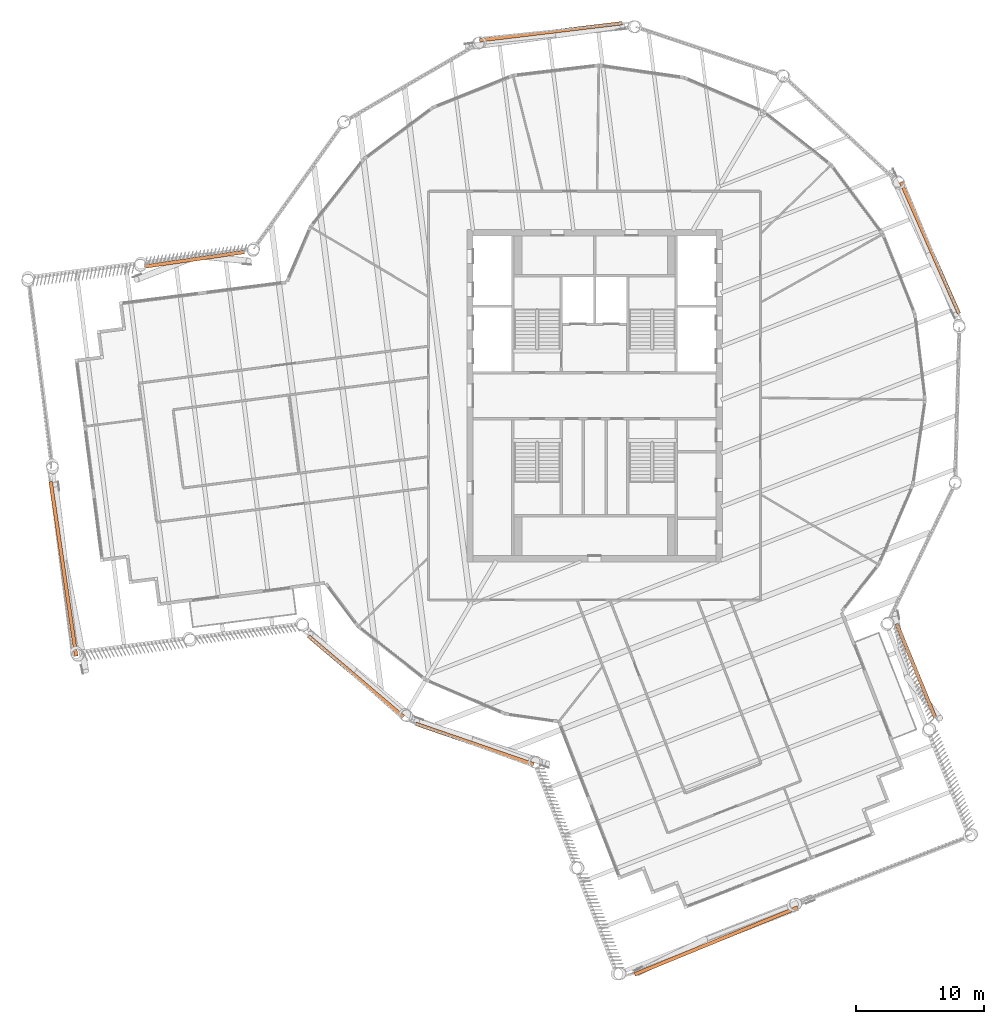
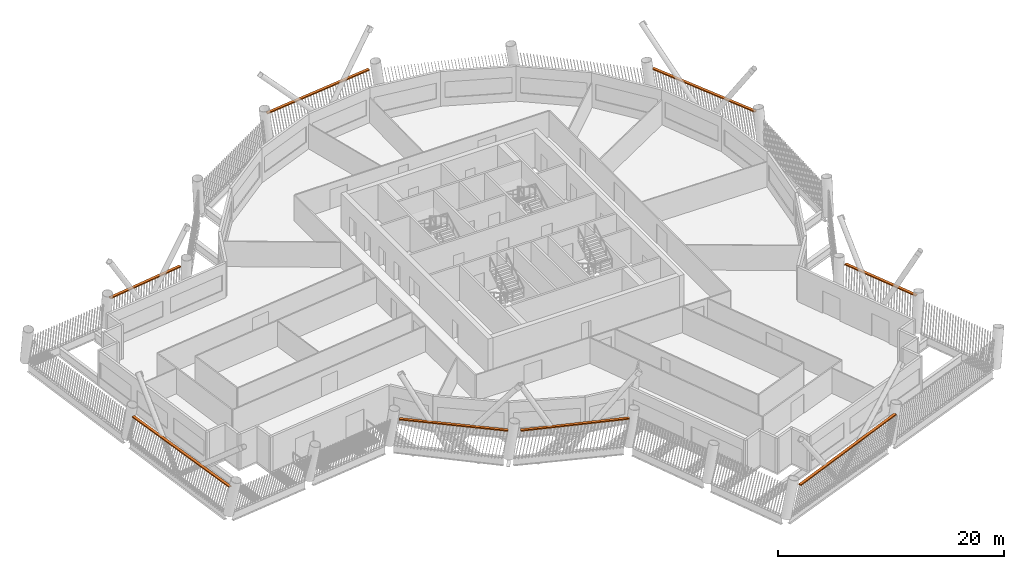
# One storey, part 20 of 20: 8 proxies.
"""IFC4 building model written with IfcOpenShell, lengths in metres."""

from ifc_helpers import new_model, si_unit, direction, frame, origin, origin_2d, place, context, subcontext, project, spatial, rectangle, extrude, material, type_object, element, save


model = new_model("IFC4")

# Units and contexts
model_context = context("Model", 3, precision=1e-05, world=origin(), true_north=direction((0.0, 1.0)))
body_context = subcontext(model_context, "Body", "Model", "MODEL_VIEW")
ifc_project = project(units=[si_unit("LENGTHUNIT", "METRE"), si_unit("AREAUNIT", "SQUARE_METRE"), si_unit("VOLUMEUNIT", "CUBIC_METRE"), si_unit("PLANEANGLEUNIT", "RADIAN"), si_unit("MASSUNIT", "GRAM", prefix="KILO")], contexts=[model_context])

# Site, building, storey
site_placement = place(None, origin())
site = spatial("IfcSite", under=ifc_project, at=site_placement, CompositionType="ELEMENT")
building_placement = place(site_placement, origin())
building = spatial("IfcBuilding", under=site, at=building_placement, Name="Tarsis Ring Headquarters", CompositionType="ELEMENT")
storey_placement = place(building_placement, frame((0.0, 0.0, 315.800048828125)))
storey = spatial("IfcBuildingStorey", under=building, at=storey_placement, Name="L74", CompositionType="ELEMENT", Elevation=315.800048828125)

# Proxies
ifc_material = material(Name="Structural steel S355", Category="steel")
building_element_proxy_type = type_object("IfcBuildingElementProxyType", Name="Screen bracket plate", PredefinedType="USERDEFINED", material=ifc_material)
proxy_1_placement = place(storey_placement, frame((-9.386962890625, -27.26953125, 2.9677734375), z_axis=(0.0, 0.0, 1.0), x_axis=(0.945546886607, -0.325485921706, 0.0)))
element("IfcBuildingElementProxy", 1, at=proxy_1_placement, inside=storey, type_object=building_element_proxy_type, Name="Screen bracket L74-00", ObjectType="Bracket", PredefinedType="USERDEFINED", context=body_context, shape_type="SweptSolid", body=[
    extrude(rectangle(XDim=9.771728515625, YDim=0.280029296875, at=origin_2d()), origin(), (0.0, 0.0, 1.0), 0.1201171875),
])
proxy_2_placement = place(storey_placement, frame((9.52099609375, -42.676513671875, 2.9677734375), z_axis=(0.0, 0.0, 1.0), x_axis=(0.925077200206, 0.379779111667, 0.0)))
element("IfcBuildingElementProxy", 2, at=proxy_2_placement, inside=storey, type_object=building_element_proxy_type, Name="Screen bracket L74-03", ObjectType="Bracket", PredefinedType="USERDEFINED", context=body_context, shape_type="SweptSolid", body=[
    extrude(rectangle(XDim=13.800048828125, YDim=0.280029296875, at=origin_2d()), origin(), (0.0, 0.0, 1.0), 0.1201171875),
])
proxy_3_placement = place(storey_placement, frame((25.147216796875, -21.507568359375, 2.9677734375), z_axis=(0.0, 0.0, 1.0), x_axis=(-0.379778982502, 0.925077253233, 0.0)))
element("IfcBuildingElementProxy", 3, at=proxy_3_placement, inside=storey, type_object=building_element_proxy_type, Name="Screen bracket L74-06", ObjectType="Bracket", PredefinedType="USERDEFINED", context=body_context, shape_type="SweptSolid", body=[
    extrude(rectangle(XDim=7.90234375, YDim=0.280029296875, at=origin_2d()), origin(), (0.0, 0.0, 1.0), 0.1201171875),
])
for number, where, z_axis, x_axis, name in (
    (4, (26.24951171875, 11.580810546875, 2.9677734375), (0.0, 0.0, 1.0), (-0.403645308156, 0.914915550859, 0.0), "Screen bracket L74-09"),
    (5, (-3.413818359375, 28.48681640625, 2.9677734375), (0.0, 0.0, 1.0), (-0.992895606761, -0.118988714061, 0.0), "Screen bracket L74-12"),
):
    element("IfcBuildingElementProxy", number, at=place(storey_placement, frame(where, z_axis=z_axis, x_axis=x_axis)), inside=storey, type_object=building_element_proxy_type, Name=name, ObjectType="Bracket", PredefinedType="USERDEFINED", context=body_context, shape_type="SweptSolid", body=[
        extrude(rectangle(XDim=11.248779296875, YDim=0.280029296875, at=origin_2d()), origin(), (0.0, 0.0, 1.0), 0.1201171875),
    ])
proxy_4_placement = place(storey_placement, frame((-31.321044921875, 10.675048828125, 2.9677734375), z_axis=(0.0, 0.0, 1.0), x_axis=(-0.989475326337, -0.144701688208, 0.0)))
element("IfcBuildingElementProxy", 6, at=proxy_4_placement, inside=storey, type_object=building_element_proxy_type, Name="Screen bracket L74-15", ObjectType="Bracket", PredefinedType="USERDEFINED", context=body_context, shape_type="SweptSolid", body=[
    extrude(rectangle(XDim=7.90234375, YDim=0.280029296875, at=origin_2d()), origin(), (0.0, 0.0, 1.0), 0.1201171875),
])
proxy_5_placement = place(storey_placement, frame((-41.570556640625, -13.55810546875, 2.9677734375), z_axis=(0.0, 0.0, 1.0), x_axis=(0.14470161913, -0.989475336439, 0.0)))
element("IfcBuildingElementProxy", 7, at=proxy_5_placement, inside=storey, type_object=building_element_proxy_type, Name="Screen bracket L74-18", ObjectType="Bracket", PredefinedType="USERDEFINED", context=body_context, shape_type="SweptSolid", body=[
    extrude(rectangle(XDim=13.800048828125, YDim=0.280029296875, at=origin_2d()), origin(), (0.0, 0.0, 1.0), 0.1201171875),
])
proxy_6_placement = place(storey_placement, frame((-18.67822265625, -21.97412109375, 2.9677734375), z_axis=(0.0, 0.0, 1.0), x_axis=(0.761934316721, -0.647654303624, 0.0)))
element("IfcBuildingElementProxy", 8, at=proxy_6_placement, inside=storey, type_object=building_element_proxy_type, Name="Screen bracket L74-21", ObjectType="Bracket", PredefinedType="USERDEFINED", context=body_context, shape_type="SweptSolid", body=[
    extrude(rectangle(XDim=9.771728515625, YDim=0.280029296875, at=origin_2d()), origin(), (0.0, 0.0, 1.0), 0.1201171875),
])

save(model, "model.ifc")
